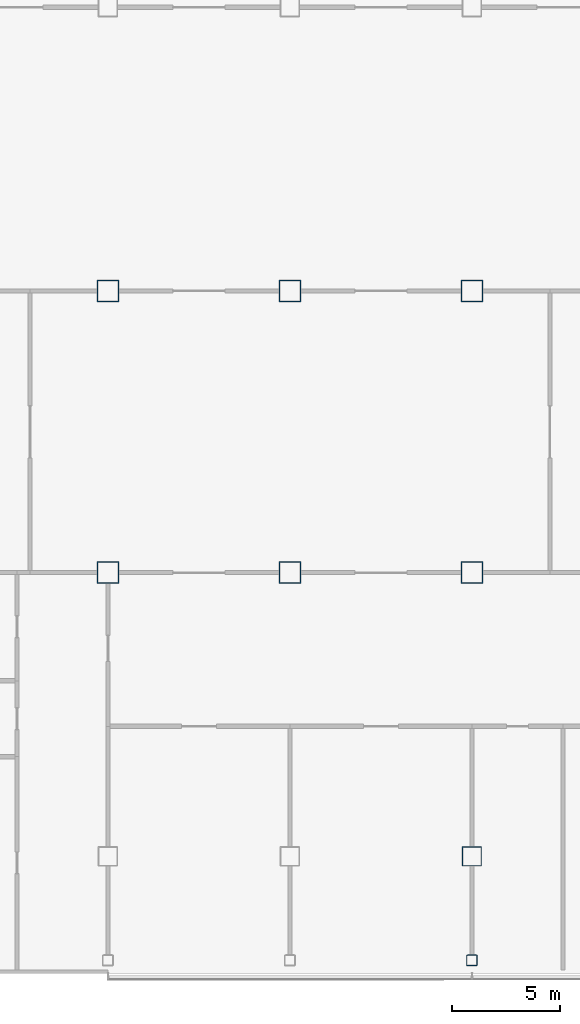
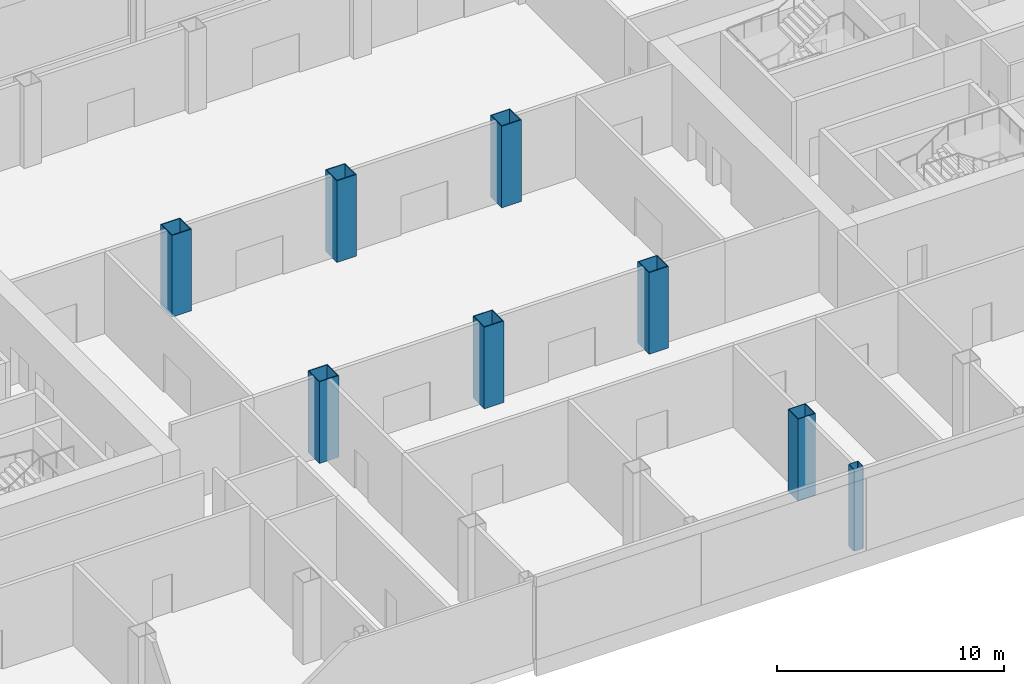
# One storey, part 2 of 53: 8 columns.
"""IFC4 building model written with IfcOpenShell, lengths in metres."""

from ifc_helpers import new_model, si_unit, direction, frame, origin, origin_2d, place, context, subcontext, project, spatial, hollow_rectangle, extrude, material, material_profile, profile_set, type_object, element, save


model = new_model("IFC4")

# Units and contexts
model_context = context("Model", 3, precision=1e-05, world=origin(), true_north=direction((0.0, 1.0)))
body_context = subcontext(model_context, "Body", "Model", "MODEL_VIEW")
ifc_project = project(units=[si_unit("LENGTHUNIT", "METRE"), si_unit("AREAUNIT", "SQUARE_METRE"), si_unit("VOLUMEUNIT", "CUBIC_METRE"), si_unit("PLANEANGLEUNIT", "RADIAN"), si_unit("MASSUNIT", "GRAM", prefix="KILO")], contexts=[model_context])

# Site, building, storey
site_placement = place(None, origin())
site = spatial("IfcSite", under=ifc_project, at=site_placement, CompositionType="ELEMENT")
building_placement = place(site_placement, origin())
building = spatial("IfcBuilding", under=site, at=building_placement, Name="Hakoniwa Tower and Hamabe Station Hall", CompositionType="ELEMENT")
storey_placement = place(building_placement, frame((0.0, 0.0, 15.0)))
storey = spatial("IfcBuildingStorey", under=building, at=storey_placement, Name="L03", CompositionType="ELEMENT", Elevation=15.0)

# Columns
ifc_material_1 = material(Name="Steel BCR295", Category="steel")
ifc_material_profile_1 = material_profile(ifc_material_1, hollow_rectangle(XDim=0.5, YDim=0.5, WallThickness=0.01904296875, InnerFilletRadius=0.028564453125, OuterFilletRadius=0.047607421875, at=origin_2d()), Name="BCR-500x500x19")
ifc_profile_set_1 = profile_set([ifc_material_profile_1], Name="Steel BCR295")
column_type_1 = type_object("IfcColumnType", Name="COLUMN BCR-500x500x19", PredefinedType="COLUMN", material=ifc_profile_set_1)
column_1_placement = place(storey_placement, frame((8.39990234375, -24.39990234375, 0.0), z_axis=(0.0, 0.0, 1.0), x_axis=(1.0, 0.0, 0.0)))
element("IfcColumn", 1, at=column_1_placement, inside=storey, type_object=column_type_1, Name="Column P-8-RS", PredefinedType="COLUMN", context=body_context, shape_type="SweptSolid", body=[
    extrude(hollow_rectangle(XDim=0.5, YDim=0.5, WallThickness=0.01904296875, InnerFilletRadius=0.028564453125, OuterFilletRadius=0.047607421875, at=origin_2d()), origin(), (0.0, 0.0, 1.0), 4.39990234375),
])
ifc_material_2 = material(Name="Steel SN490C", Category="steel")
ifc_material_profile_2 = material_profile(ifc_material_2, hollow_rectangle(XDim=1.0, YDim=1.0, WallThickness=0.0400390625, at=origin_2d()), Name="BX-1000x1000x40")
ifc_profile_set_2 = profile_set([ifc_material_profile_2], Name="Steel SN490C")
column_type_2 = type_object("IfcColumnType", Name="COLUMN BX-1000x1000x40", PredefinedType="COLUMN", material=ifc_profile_set_2)
for number, where, z_axis, x_axis, name in (
    (2, (-8.39990234375, -6.5, 0.0), (0.0, 0.0, 1.0), (1.0, 0.0, 0.0), "Column P-6-C1"),
    (3, (-8.39990234375, 6.5, 0.0), (0.0, 0.0, 1.0), (1.0, 0.0, 0.0), "Column P-6-E1"),
    (4, (0.0, -6.5, 0.0), (0.0, 0.0, 1.0), (1.0, 0.0, 0.0), "Column P-7-C1"),
    (5, (0.0, 6.5, 0.0), (0.0, 0.0, 1.0), (1.0, 0.0, 0.0), "Column P-7-E1"),
    (6, (8.39990234375, -6.5, 0.0), (0.0, 0.0, 1.0), (1.0, 0.0, 0.0), "Column P-8-C1"),
    (7, (8.39990234375, 6.5, 0.0), (0.0, 0.0, 1.0), (1.0, 0.0, 0.0), "Column P-8-E1"),
):
    element("IfcColumn", number, at=place(storey_placement, frame(where, z_axis=z_axis, x_axis=x_axis)), inside=storey, type_object=column_type_2, Name=name, PredefinedType="COLUMN", context=body_context, shape_type="SweptSolid", body=[
        extrude(hollow_rectangle(XDim=1.0, YDim=1.0, WallThickness=0.0400390625, at=origin_2d()), origin(), (0.0, 0.0, 1.0), 4.39990234375),
    ])
ifc_material_3 = material(Name="Steel SN490C", Category="steel")
ifc_material_profile_3 = material_profile(ifc_material_3, hollow_rectangle(XDim=0.89990234375, YDim=0.89990234375, WallThickness=0.035888671875, at=origin_2d()), Name="BX-900x900x36")
ifc_profile_set_3 = profile_set([ifc_material_profile_3], Name="Steel SN490C")
column_type_3 = type_object("IfcColumnType", Name="COLUMN BX-900x900x36", PredefinedType="COLUMN", material=ifc_profile_set_3)
column_2_placement = place(storey_placement, frame((8.39990234375, -19.60009765625, 0.0), z_axis=(0.0, 0.0, 1.0), x_axis=(1.0, 0.0, 0.0)))
element("IfcColumn", 8, at=column_2_placement, inside=storey, type_object=column_type_3, Name="Column P-8-A1", PredefinedType="COLUMN", context=body_context, shape_type="SweptSolid", body=[
    extrude(hollow_rectangle(XDim=0.89990234375, YDim=0.89990234375, WallThickness=0.035888671875, at=origin_2d()), origin(), (0.0, 0.0, 1.0), 4.39990234375),
])

save(model, "model.ifc")
